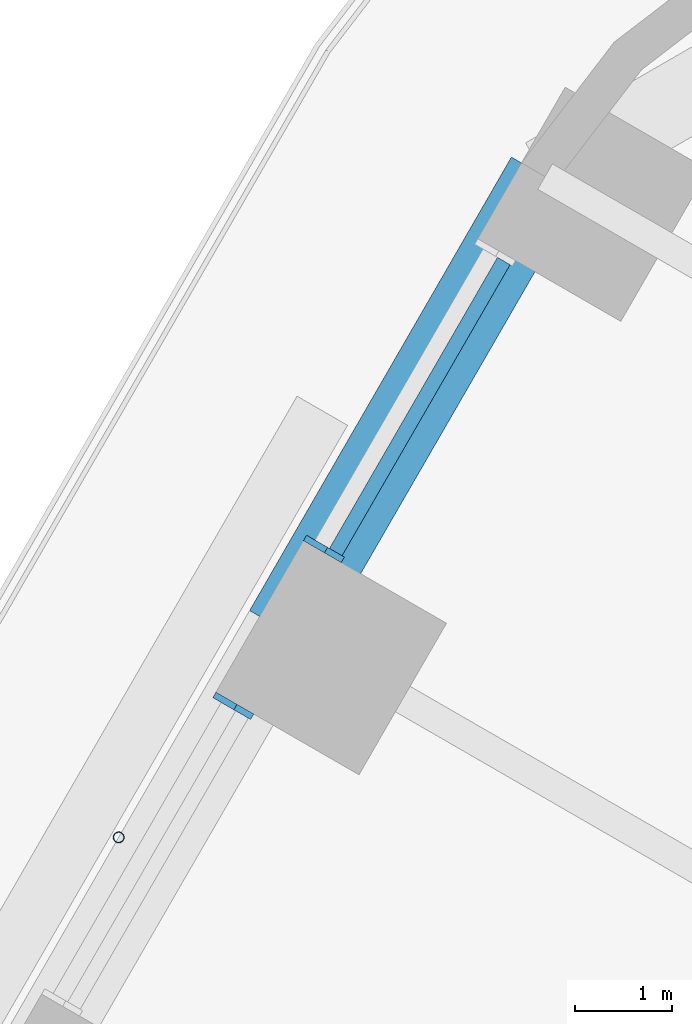
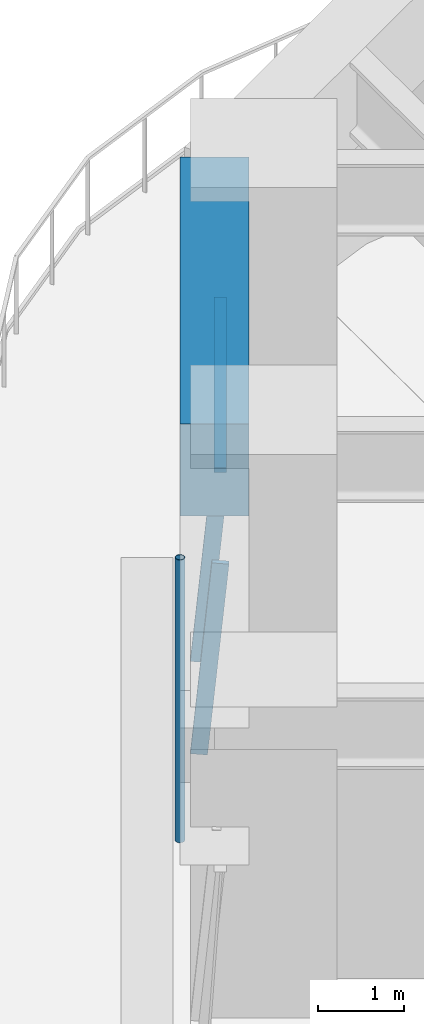
# One storey, part 9 of 24: 4 members, 1 beam, 2 elements without a shape of their own.
"""IFC4 building model written with IfcOpenShell, lengths in metres."""

from ifc_helpers import new_model, si_unit, direction, frame, origin, origin_2d, place, context, subcontext, project, spatial, rectangle, hollow_circle, extrude, material, material_profile, profile_set, type_object, element, aggregate, save


model = new_model("IFC4")

# Units and contexts
model_context = context("Model", 3, precision=1e-05, world=origin(), true_north=direction((0.0, 1.0)))
body_context = subcontext(model_context, "Body", "Model", "MODEL_VIEW")
ifc_project = project(units=[si_unit("LENGTHUNIT", "METRE"), si_unit("AREAUNIT", "SQUARE_METRE"), si_unit("VOLUMEUNIT", "CUBIC_METRE"), si_unit("PLANEANGLEUNIT", "RADIAN"), si_unit("MASSUNIT", "GRAM", prefix="KILO")], contexts=[model_context])

# Site, building, storey
site_placement = place(None, origin())
site = spatial("IfcSite", under=ifc_project, at=site_placement, CompositionType="ELEMENT")
building_placement = place(site_placement, origin())
building = spatial("IfcBuilding", under=site, at=building_placement, Name="Tarfa Lantern Tower", CompositionType="ELEMENT")
storey_placement = place(building_placement, frame((0.0, 0.0, 94.89990234375)))
storey = spatial("IfcBuildingStorey", under=building, at=storey_placement, Name="L21", CompositionType="ELEMENT", Elevation=94.89990234375)

# Curtain wall, member
ifc_material_1 = material(Name="Aluminium framed curtain wall", Category="aluminium")
curtain_wall_type = type_object("IfcCurtainWallType", Name="CW1 CANTED GLAZING LOW ZONE 2700", PredefinedType="USERDEFINED", material=ifc_material_1)
curtain_wall_1_placement = place(storey_placement, origin())
curtain_wall_1 = element("IfcCurtainWall", 1, at=curtain_wall_1_placement, inside=storey, type_object=curtain_wall_type, Name="CW1 NW L21", ObjectType="CURTAIN WALL", PredefinedType="USERDEFINED")
ifc_material_2 = material(Name="Aluminium mullion", Category="aluminium")
ifc_material_profile_1 = material_profile(ifc_material_2, rectangle(XDim=0.06494140625, YDim=0.199951171875, at=origin_2d()), Name="AL MULLION 65x200")
ifc_profile_set_1 = profile_set([ifc_material_profile_1], Name="Aluminium mullion")
member_type_1 = type_object("IfcMemberType", Name="CWM1 MULLION 65x200", PredefinedType="MULLION", material=ifc_profile_set_1)
member_1_placement = place(storey_placement, frame((-23.50341796875, 27.0908203125, 0.0), z_axis=(0.079857261722, -0.046095736191, 0.995739926314), x_axis=(0.499919672301, 0.866071776036, 0.0)))
member_1 = element("IfcMember", 2, at=member_1_placement, type_object=member_type_1, Name="CW1 mullion 2", PredefinedType="MULLION", context=body_context, shape_type="SweptSolid", body=[
    extrude(rectangle(XDim=0.06494140625, YDim=0.199951171875, at=origin_2d()), origin(), (0.0, 0.0, 1.0), 2.711669921875),
])

curtain_wall_2_placement = place(storey_placement, origin())
curtain_wall_2 = element("IfcCurtainWall", 3, at=curtain_wall_2_placement, inside=storey, type_object=curtain_wall_type, Name="CW1 NW L21", ObjectType="CURTAIN WALL", PredefinedType="USERDEFINED")
member_2_placement = place(storey_placement, frame((-24.435791015625, 25.475830078125, 0.0), z_axis=(0.079767804165, -0.046096067418, 0.995747081335), x_axis=(0.500342721131, 0.865827443207, 0.0)))
member_2 = element("IfcMember", 4, at=member_2_placement, type_object=member_type_1, Name="CW1 mullion 1", PredefinedType="MULLION", context=body_context, shape_type="SweptSolid", body=[
    extrude(rectangle(XDim=0.06494140625, YDim=0.199951171875, at=origin_2d()), origin(), (0.0, 0.0, 1.0), 2.711669921875),
])
aggregate(curtain_wall_2, [member_2])

# Member
ifc_material_3 = material(Name="Aluminium transom", Category="aluminium")
ifc_material_profile_2 = material_profile(ifc_material_3, rectangle(XDim=0.14990234375, YDim=0.06494140625, at=origin_2d()), Name="AL TRANSOM 150x65")
ifc_profile_set_2 = profile_set([ifc_material_profile_2], Name="Aluminium transom")
member_type_2 = type_object("IfcMemberType", Name="CWT1 TRANSOM 150x65", PredefinedType="USERDEFINED", material=ifc_profile_set_2)
member_3_placement = place(storey_placement, frame((-21.5439453125, 29.99072265625, 2.66748046875), z_axis=(-0.500003541824, -0.866023358902, 0.0), x_axis=(0.866023358902, -0.500003541824, 0.0)))
member_3 = element("IfcMember", 5, at=member_3_placement, type_object=member_type_2, Name="CW1 transom 1.2", ObjectType="TRANSOM", PredefinedType="USERDEFINED", context=body_context, shape_type="SweptSolid", body=[
    extrude(rectangle(XDim=0.14990234375, YDim=0.06494140625, at=origin_2d()), origin(), (0.0, 0.0, 1.0), 3.45849609375),
])

aggregate(curtain_wall_1, [member_1, member_3])

# Beam
ifc_material_4 = material(Name="Concrete C80/95", Category="concrete")
ifc_material_profile_3 = material_profile(ifc_material_4, rectangle(XDim=0.800048828125, YDim=1.300048828125, at=origin_2d()), Name="RC 800x1300")
ifc_profile_set_3 = profile_set([ifc_material_profile_3], Name="Concrete C80/95")
beam_type = type_object("IfcBeamType", Name="EB1 RC 800x1300", PredefinedType="SPANDREL", material=ifc_profile_set_3)
beam_placement = place(storey_placement, frame((-21.119384765625, 30.860107421875, 3.35009765625), z_axis=(-0.499998287579, -0.866026392449, 0.0), x_axis=(0.866026392449, -0.499998287579, 0.0)))
element("IfcBeam", 6, at=beam_placement, inside=storey, type_object=beam_type, Name="Edge beam NW0", PredefinedType="SPANDREL", context=body_context, shape_type="SweptSolid", body=[
    extrude(rectangle(XDim=0.800048828125, YDim=1.300048828125, at=origin_2d()), origin(), (0.0, 0.0, 1.0), 5.388671875),
])

# Member
ifc_material_5 = material(Name="Steel S355", Category="steel")
ifc_material_profile_4 = material_profile(ifc_material_5, hollow_circle(Radius=0.05712890625, WallThickness=0.00634765625, at=origin_2d()), Name="CHS114.3x6.3")
ifc_profile_set_4 = profile_set([ifc_material_profile_4], Name="Steel S355")
member_type_3 = type_object("IfcMemberType", Name="TR1 GREEN WALL TRELLIS CHS114.3x6.3", PredefinedType="USERDEFINED", material=ifc_profile_set_4)
member_4_placement = place(storey_placement, frame((-25.50732421875, 24.06005859375, 0.0), z_axis=(0.0, 0.0, 1.0), x_axis=(1.0, 0.0, 0.0)))
element("IfcMember", 7, at=member_4_placement, inside=storey, type_object=member_type_3, Name="Trellis post NW 1", ObjectType="TRELLIS", PredefinedType="USERDEFINED", context=body_context, shape_type="SweptSolid", body=[
    extrude(hollow_circle(Radius=0.05712890625, WallThickness=0.00634765625, at=origin_2d()), origin(), (0.0, 0.0, 1.0), 4.0),
])

save(model, "model.ifc")
